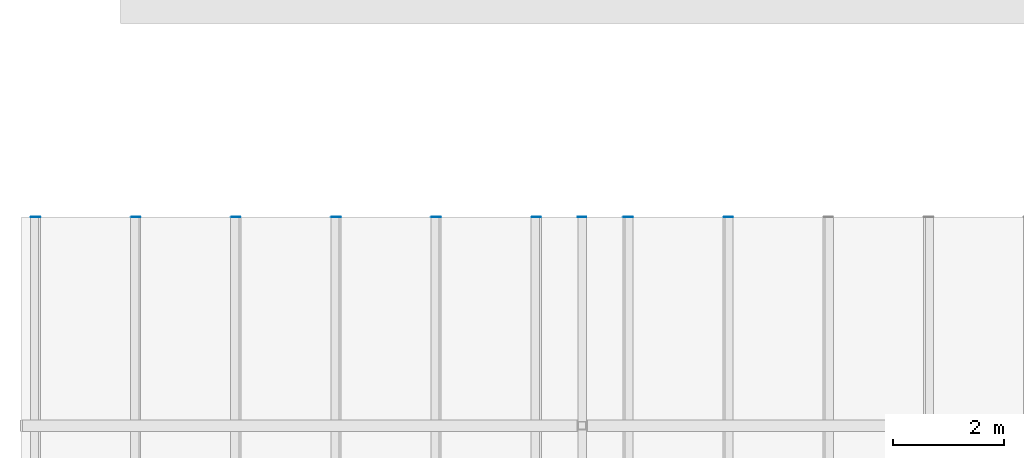
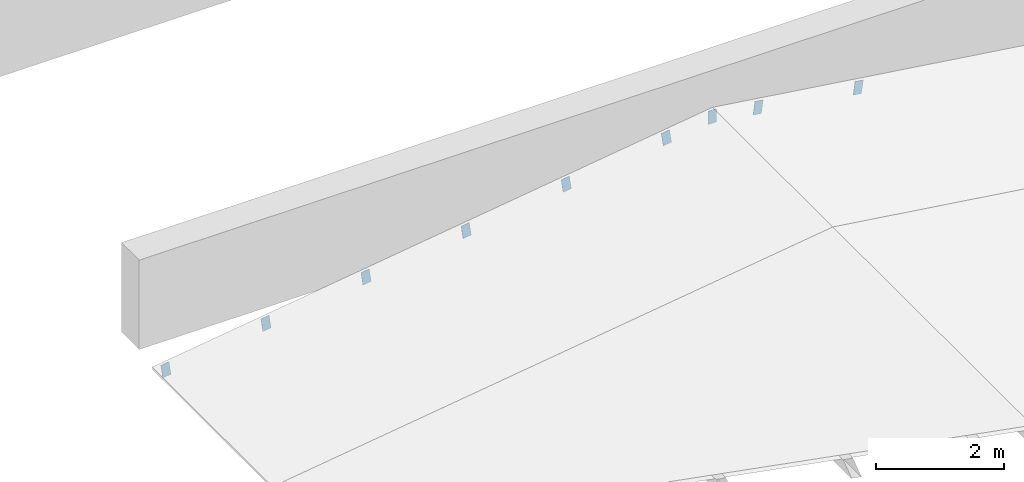
# One storey, part 32 of 52: 9 discrete accessories.
"""IFC4 building model written with IfcOpenShell, lengths in metres."""

from ifc_helpers import new_model, si_unit, direction, frame, origin, origin_2d, place, context, subcontext, project, spatial, rectangle, extrude, material, material_profile, profile_set, type_object, element, save


model = new_model("IFC4")

# Units and contexts
model_context = context("Model", 3, precision=1e-05, world=origin(), true_north=direction((0.0, 1.0)))
body_context = subcontext(model_context, "Body", "Model", "MODEL_VIEW")
ifc_project = project(units=[si_unit("LENGTHUNIT", "METRE"), si_unit("AREAUNIT", "SQUARE_METRE"), si_unit("VOLUMEUNIT", "CUBIC_METRE"), si_unit("PLANEANGLEUNIT", "RADIAN"), si_unit("MASSUNIT", "GRAM", prefix="KILO")], contexts=[model_context])

# Site, building, storey
site_placement = place(None, origin())
site = spatial("IfcSite", under=ifc_project, at=site_placement, CompositionType="ELEMENT")
building_placement = place(site_placement, origin())
building = spatial("IfcBuilding", under=site, at=building_placement, Name="Cour d'Honneur Mobility Palace", CompositionType="ELEMENT")
storey_placement = place(building_placement, frame((0.0, 0.0, 23.0)))
storey = spatial("IfcBuildingStorey", under=building, at=storey_placement, Name="L06", CompositionType="ELEMENT", Elevation=23.0)

# Discrete accessories
ifc_material = material(Name="Steel S355", Category="steel")
ifc_material_profile = material_profile(ifc_material, rectangle(XDim=0.14990234375, YDim=0.25, at=origin_2d()), Name="PL 250x150x10")
ifc_profile_set = profile_set([ifc_material_profile], Name="Steel S355")
discrete_accessory_type = type_object("IfcDiscreteAccessoryType", Name="End cap plate RHS 250x150x10", PredefinedType="USERDEFINED", material=ifc_profile_set)
for number, where, z_axis, x_axis, name in (
    (1, (-1.125, 103.64990234375, 0.55419921875), (0.0, 1.0, 0.0), (-0.990349673475, 0.0, -0.138591212736), "End cap plate EC-TU-C1.4-2"),
    (2, (0.675048828125, 103.64990234375, 0.80615234375), (0.0, 1.0, 0.0), (-0.990349673475, 0.0, -0.138591212736), "End cap plate EC-TU-C2.4-2"),
    (3, (2.47509765625, 103.64990234375, 1.05810546875), (0.0, 1.0, 0.0), (-0.990349673475, 0.0, -0.138591212736), "End cap plate EC-TU-C3.4-2"),
    (4, (4.27490234375, 103.64990234375, 1.309814453125), (0.0, 1.0, 0.0), (-0.990349673475, 0.0, -0.138591212736), "End cap plate EC-TU-C4.4-2"),
    (5, (6.074951171875, 103.64990234375, 1.561767578125), (0.0, 1.0, 0.0), (-0.990349673475, 0.0, -0.138591212736), "End cap plate EC-TU-C5.4-2"),
    (6, (7.875, 103.64990234375, 1.813720703125), (0.0, 1.0, 0.0), (-0.990349673475, 0.0, -0.138591212736), "End cap plate EC-TU-C6.4-2"),
    (7, (11.324951171875, 103.64990234375, 1.561767578125), (0.0, 1.0, 0.0), (-0.990349673475, 0.0, 0.138591212736), "End cap plate EC-TU-C11.4-2"),
    (8, (9.52490234375, 103.64990234375, 1.813720703125), (0.0, 1.0, 0.0), (-0.990349673475, 0.0, 0.138591212736), "End cap plate EC-TU-C12.4-2"),
    (9, (8.699951171875, 103.64990234375, 1.927978515625), (0.0, 1.0, 0.0), (-1.0, 0.0, 0.0), "End cap plate EC-TU-C13.4-2"),
):
    element("IfcDiscreteAccessory", number, at=place(storey_placement, frame(where, z_axis=z_axis, x_axis=x_axis)), inside=storey, type_object=discrete_accessory_type, Name=name, ObjectType="END CAP PLATE", PredefinedType="USERDEFINED", context=body_context, shape_type="SweptSolid", body=[
        extrude(rectangle(XDim=0.14990234375, YDim=0.25, at=origin_2d()), origin(), (0.0, 0.0, 1.0), 0.010009765625),
    ])

save(model, "model.ifc")
